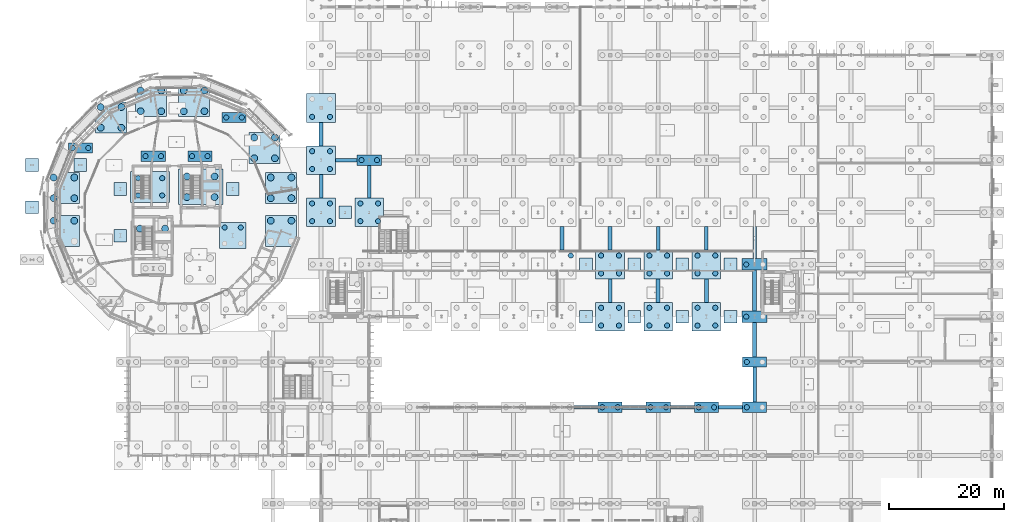
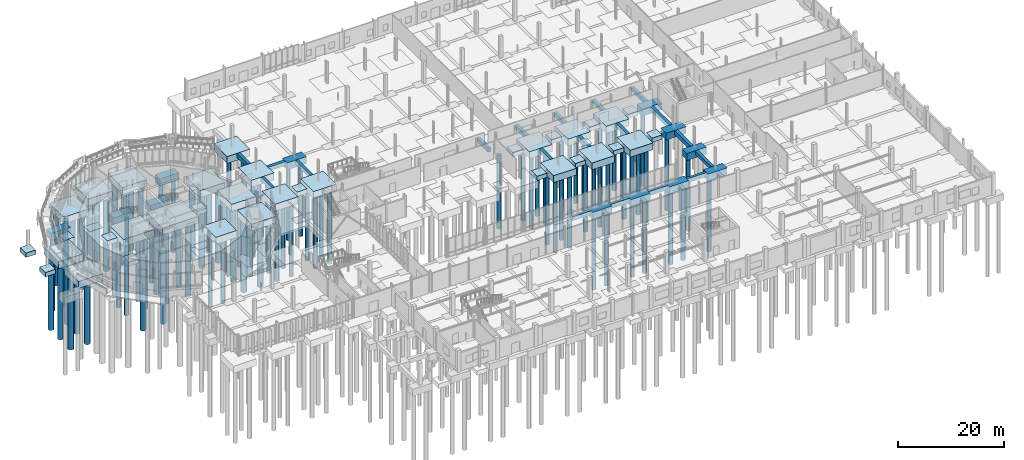
# One storey, part 4 of 119: 99 piles, 67 footings.
"""IFC4 building model written with IfcOpenShell, lengths in metres."""

from ifc_helpers import new_model, si_unit, derived_unit, direction, frame, origin, origin_2d, place, context, subcontext, project, spatial, rectangle, circle, extrude, material, layer, layer_set, material_profile, profile_set, type_object, element, save


model = new_model("IFC4")

# Units and contexts
model_context = context("Model", 3, precision=1e-05, world=origin(), true_north=direction((0.0, 1.0)))
body_context = subcontext(model_context, "Body", "Model", "MODEL_VIEW")
ifc_project = project(units=[si_unit("LENGTHUNIT", "METRE"), si_unit("AREAUNIT", "SQUARE_METRE"), si_unit("VOLUMEUNIT", "CUBIC_METRE"), si_unit("PLANEANGLEUNIT", "RADIAN"), si_unit("MASSUNIT", "GRAM", prefix="KILO"), derived_unit("THERMALTRANSMITTANCEUNIT", [(si_unit("MASSUNIT", "GRAM", prefix="KILO"), 1), (si_unit("TIMEUNIT", "SECOND"), -3), (si_unit("THERMODYNAMICTEMPERATUREUNIT", "KELVIN"), -1)])], contexts=[model_context])

# Site, building, storey
site_placement = place(None, origin())
site = spatial("IfcSite", under=ifc_project, at=site_placement, CompositionType="ELEMENT")
building_placement = place(site_placement, origin())
building = spatial("IfcBuilding", under=site, at=building_placement, Name="Makaiwela Harbour Ferry Terminal", CompositionType="ELEMENT")
storey_placement = place(building_placement, origin())
storey = spatial("IfcBuildingStorey", under=building, at=storey_placement, Name="L00", CompositionType="ELEMENT", Elevation=0.0)

# Footings
ifc_material = material(Name="Concrete f'c 45 MPa (6500 psi)", Category="concrete")
ifc_layer_1 = layer(ifc_material, 1.0)
ifc_layer_set_1 = layer_set([ifc_layer_1], Name="Concrete f'c 45 MPa (6500 psi)")
footing_type_1 = type_object("IfcFootingType", Name="FND-PAD-01", PredefinedType="PAD_FOOTING", material=ifc_layer_set_1)
for number, where, z_axis, x_axis, name in (
    (1, (47.593017578125, 71.656494140625, -1.0), (0.0, 0.0, 1.0), (1.0, 0.0, 0.0), "Foundation Footing PF-01"),
    (2, (28.0068359375, 71.656494140625, -1.0), (0.0, 0.0, 1.0), (1.0, 0.0, 0.0), "Foundation Footing PF-01"),
    (3, (28.0068359375, 63.543701171875, -1.0), (0.0, 0.0, 1.0), (1.0, 0.0, 0.0), "Foundation Footing PF-01"),
    (4, (12.60009765625, 68.449951171875, -1.0), (0.0, 0.0, 1.0), (1.0, 0.0, 0.0), "Foundation Footing PF-01"),
    (5, (21.0, 75.85009765625, -1.0), (0.0, 0.0, 1.0), (1.0, 0.0, 0.0), "Foundation Footing PF-01"),
    (6, (12.60009765625, 75.85009765625, -1.0), (0.0, 0.0, 1.0), (1.0, 0.0, 0.0), "Foundation Footing PF-01"),
    (7, (67.199951171875, 67.60009765625, -1.0), (0.0, 0.0, 1.0), (1.0, 0.0, 0.0), "Foundation Footing PF-01"),
    (8, (109.199951171875, 49.39990234375, -1.0), (0.0, 0.0, 1.0), (1.0, 0.0, 0.0), "Foundation Footing PF-01"),
    (9, (109.199951171875, 58.5, -1.0), (0.0, 0.0, 1.0), (1.0, 0.0, 0.0), "Foundation Footing PF-01"),
    (10, (117.60009765625, 49.39990234375, -1.0), (0.0, 0.0, 1.0), (1.0, 0.0, 0.0), "Foundation Footing PF-01"),
    (11, (117.60009765625, 58.5, -1.0), (0.0, 0.0, 1.0), (1.0, 0.0, 0.0), "Foundation Footing PF-01"),
    (12, (126.0, 49.39990234375, -1.0), (0.0, 0.0, 1.0), (1.0, 0.0, 0.0), "Foundation Footing PF-01"),
    (13, (126.0, 58.5, -1.0), (0.0, 0.0, 1.0), (1.0, 0.0, 0.0), "Foundation Footing PF-01"),
    (14, (134.39990234375, 49.39990234375, -1.0), (0.0, 0.0, 1.0), (1.0, 0.0, 0.0), "Foundation Footing PF-01"),
    (15, (134.39990234375, 58.5, -1.0), (0.0, 0.0, 1.0), (1.0, 0.0, 0.0), "Foundation Footing PF-01"),
):
    element("IfcFooting", number, at=place(storey_placement, frame(where, z_axis=z_axis, x_axis=x_axis)), inside=storey, type_object=footing_type_1, Name=name, PredefinedType="PAD_FOOTING", context=body_context, shape_type="SweptSolid", body=[
        extrude(rectangle(XDim=2.199951171875, YDim=2.199951171875, at=origin_2d()), origin(), (0.0, 0.0, 1.0), 1.0),
    ])
ifc_layer_2 = layer(ifc_material, 1.60009765625)
ifc_layer_set_2 = layer_set([ifc_layer_2], Name="Concrete f'c 45 MPa (6500 psi)")
footing_type_2 = type_object("IfcFootingType", Name="FND-PC-01", PredefinedType="PILE_CAP", material=ifc_layer_set_2)
for number, where, z_axis, x_axis, name in (
    (16, (41.8564453125, 77.39306640625, -1.60009765625), (0.0, 0.0, 1.0), (1.0, 0.0, 0.0), "Foundation Footing PC-01"),
    (17, (33.74365234375, 77.39306640625, -1.60009765625), (0.0, 0.0, 1.0), (1.0, 0.0, 0.0), "Foundation Footing PC-01"),
    (18, (47.822509765625, 84.1474609375, -1.60009765625), (0.0, 0.0, 1.0), (1.0, 0.0, 0.0), "Foundation Footing PC-01"),
    (19, (21.052490234375, 78.822509765625, -1.60009765625), (0.0, 0.0, 1.0), (1.0, 0.0, 0.0), "Foundation Footing PC-01"),
    (20, (71.39990234375, 76.699951171875, -1.60009765625), (0.0, 0.0, 1.0), (1.0, 0.0, 0.0), "Foundation Footing PC-01"),
    (21, (113.39990234375, 33.60009765625, -1.60009765625), (0.0, 0.0, 1.0), (1.0, 0.0, 0.0), "Foundation Footing PC-01"),
    (22, (121.800048828125, 33.60009765625, -1.60009765625), (0.0, 0.0, 1.0), (1.0, 0.0, 0.0), "Foundation Footing PC-01"),
    (23, (130.199951171875, 33.60009765625, -1.60009765625), (0.0, 0.0, 1.0), (1.0, 0.0, 0.0), "Foundation Footing PC-01"),
    (24, (138.60009765625, 33.60009765625, -1.60009765625), (0.0, 0.0, 1.0), (1.0, 0.0, 0.0), "Foundation Footing PC-01"),
    (25, (138.60009765625, 41.5, -1.60009765625), (0.0, 0.0, 1.0), (1.0, 0.0, 0.0), "Foundation Footing PC-01"),
):
    element("IfcFooting", number, at=place(storey_placement, frame(where, z_axis=z_axis, x_axis=x_axis)), inside=storey, type_object=footing_type_2, Name=name, PredefinedType="PILE_CAP", context=body_context, shape_type="SweptSolid", body=[
        extrude(rectangle(XDim=4.199951171875, YDim=1.800048828125, at=origin_2d()), origin(), (0.0, 0.0, 1.0), 1.60009765625),
    ])
ifc_layer_3 = layer(ifc_material, 1.60009765625)
ifc_layer_set_3 = layer_set([ifc_layer_3], Name="Concrete f'c 45 MPa (6500 psi)")
footing_type_3 = type_object("IfcFootingType", Name="FND-PC-02", PredefinedType="PILE_CAP", material=ifc_layer_set_3)
for number, where, z_axis, x_axis, name in (
    (26, (138.60009765625, 49.39990234375, -1.60009765625), (0.0, 0.0, 1.0), (1.0, 0.0, 0.0), "Foundation Footing PC-02"),
    (27, (138.60009765625, 58.5, -1.60009765625), (0.0, 0.0, 1.0), (1.0, 0.0, 0.0), "Foundation Footing PC-02"),
):
    element("IfcFooting", number, at=place(storey_placement, frame(where, z_axis=z_axis, x_axis=x_axis)), inside=storey, type_object=footing_type_3, Name=name, PredefinedType="PILE_CAP", context=body_context, shape_type="SweptSolid", body=[
        extrude(rectangle(XDim=4.39990234375, YDim=2.0, at=origin_2d()), origin(), (0.0, 0.0, 1.0), 1.60009765625),
    ])
ifc_layer_4 = layer(ifc_material, 1.60009765625)
ifc_layer_set_4 = layer_set([ifc_layer_4], Name="Concrete f'c 45 MPa (6500 psi)")
footing_type_4 = type_object("IfcFootingType", Name="FND-PC-03", PredefinedType="PILE_CAP", material=ifc_layer_set_4)
footing_1_placement = place(storey_placement, frame((47.593017578125, 63.543701171875, -1.60009765625), z_axis=(0.0, 0.0, 1.0), x_axis=(1.0, 0.0, 0.0)))
element("IfcFooting", 28, at=footing_1_placement, inside=storey, type_object=footing_type_4, Name="Foundation Footing PC-03", PredefinedType="PILE_CAP", context=body_context, shape_type="SweptSolid", body=[
    extrude(rectangle(XDim=4.60009765625, YDim=4.60009765625, at=origin_2d()), origin(), (0.0, 0.0, 1.0), 1.60009765625),
])
ifc_layer_5 = layer(ifc_material, 1.60009765625)
ifc_layer_set_5 = layer_set([ifc_layer_5], Name="Concrete f'c 45 MPa (6500 psi)")
footing_type_5 = type_object("IfcFootingType", Name="FND-PC-04", PredefinedType="PILE_CAP", material=ifc_layer_set_5)
for number, where, z_axis, x_axis, name in (
    (29, (63.0, 67.60009765625, -1.60009765625), (0.0, 0.0, 1.0), (1.0, 0.0, 0.0), "Foundation Footing PC-04"),
    (30, (63.0, 76.699951171875, -1.60009765625), (0.0, 0.0, 1.0), (1.0, 0.0, 0.0), "Foundation Footing PC-04"),
    (31, (63.0, 85.800048828125, -1.60009765625), (0.0, 0.0, 1.0), (1.0, 0.0, 0.0), "Foundation Footing PC-04"),
    (32, (71.39990234375, 67.60009765625, -1.60009765625), (0.0, 0.0, 1.0), (1.0, 0.0, 0.0), "Foundation Footing PC-04"),
    (33, (113.39990234375, 49.39990234375, -1.60009765625), (0.0, 0.0, 1.0), (1.0, 0.0, 0.0), "Foundation Footing PC-04"),
    (34, (113.39990234375, 58.5, -1.60009765625), (0.0, 0.0, 1.0), (1.0, 0.0, 0.0), "Foundation Footing PC-04"),
    (35, (121.800048828125, 49.39990234375, -1.60009765625), (0.0, 0.0, 1.0), (1.0, 0.0, 0.0), "Foundation Footing PC-04"),
    (36, (121.800048828125, 58.5, -1.60009765625), (0.0, 0.0, 1.0), (1.0, 0.0, 0.0), "Foundation Footing PC-04"),
    (37, (130.199951171875, 49.39990234375, -1.60009765625), (0.0, 0.0, 1.0), (1.0, 0.0, 0.0), "Foundation Footing PC-04"),
    (38, (130.199951171875, 58.5, -1.60009765625), (0.0, 0.0, 1.0), (1.0, 0.0, 0.0), "Foundation Footing PC-04"),
):
    element("IfcFooting", number, at=place(storey_placement, frame(where, z_axis=z_axis, x_axis=x_axis)), inside=storey, type_object=footing_type_5, Name=name, PredefinedType="PILE_CAP", context=body_context, shape_type="SweptSolid", body=[
        extrude(rectangle(XDim=5.0, YDim=5.0, at=origin_2d()), origin(), (0.0, 0.0, 1.0), 1.60009765625),
    ])
ifc_layer_6 = layer(ifc_material, 1.60009765625)
ifc_layer_set_6 = layer_set([ifc_layer_6], Name="Concrete f'c 45 MPa (6500 psi)")
footing_type_6 = type_object("IfcFootingType", Name="FND-PC-05", PredefinedType="PILE_CAP", material=ifc_layer_set_6)
for number, where, z_axis, x_axis, name in (
    (39, (56.029296875, 71.865234375, -1.60009765625), (0.0, 0.0, 1.0), (1.0, 0.0, 0.0), "Foundation Footing PC-05"),
    (40, (53.1474609375, 78.822509765625, -1.60009765625), (0.0, 0.0, 1.0), (1.0, 0.0, 0.0), "Foundation Footing PC-05"),
    (41, (40.865234375, 87.029296875, -1.60009765625), (0.0, 0.0, 1.0), (1.0, 0.0, 0.0), "Foundation Footing PC-05"),
    (42, (33.334716796875, 87.029296875, -1.60009765625), (0.0, 0.0, 1.0), (1.0, 0.0, 0.0), "Foundation Footing PC-05"),
    (43, (26.37744140625, 84.1474609375, -1.60009765625), (0.0, 0.0, 1.0), (1.0, 0.0, 0.0), "Foundation Footing PC-05"),
    (44, (18.1708984375, 71.865234375, -1.60009765625), (0.0, 0.0, 1.0), (1.0, 0.0, 0.0), "Foundation Footing PC-05"),
    (45, (18.1708984375, 64.334716796875, -1.60009765625), (0.0, 0.0, 1.0), (1.0, 0.0, 0.0), "Foundation Footing PC-05"),
    (46, (56.029296875, 64.334716796875, -1.60009765625), (0.0, 0.0, 1.0), (1.0, 0.0, 0.0), "Foundation Footing PC-05"),
):
    element("IfcFooting", number, at=place(storey_placement, frame(where, z_axis=z_axis, x_axis=x_axis)), inside=storey, type_object=footing_type_6, Name=name, PredefinedType="PILE_CAP", context=body_context, shape_type="SweptSolid", body=[
        extrude(rectangle(XDim=5.39990234375, YDim=5.39990234375, at=origin_2d()), origin(), (0.0, 0.0, 1.0), 1.60009765625),
    ])
ifc_layer_7 = layer(ifc_material, 1.60009765625)
ifc_layer_set_7 = layer_set([ifc_layer_7], Name="Concrete f'c 45 MPa (6500 psi)")
footing_type_7 = type_object("IfcFootingType", Name="FND-PC-09", PredefinedType="PILE_CAP", material=ifc_layer_set_7)
footing_2_placement = place(storey_placement, frame((33.199951171875, 72.050048828125, -1.60009765625), z_axis=(0.0, 0.0, 1.0), x_axis=(1.0, 0.0, 0.0)))
element("IfcFooting", 47, at=footing_2_placement, inside=storey, type_object=footing_type_7, Name="Foundation Footing PC-09", PredefinedType="PILE_CAP", context=body_context, shape_type="SweptSolid", body=[
    extrude(rectangle(XDim=6.800048828125, YDim=5.39990234375, at=origin_2d()), origin(), (0.0, 0.0, 1.0), 1.60009765625),
])
ifc_layer_8 = layer(ifc_material, 1.60009765625)
ifc_layer_set_8 = layer_set([ifc_layer_8], Name="Concrete f'c 45 MPa (6500 psi)")
footing_type_8 = type_object("IfcFootingType", Name="FND-PC-10", PredefinedType="PILE_CAP", material=ifc_layer_set_8)
footing_3_placement = place(storey_placement, frame((42.0, 72.050048828125, -1.60009765625), z_axis=(0.0, 0.0, 1.0), x_axis=(1.0, 0.0, 0.0)))
element("IfcFooting", 48, at=footing_3_placement, inside=storey, type_object=footing_type_8, Name="Foundation Footing PC-10", PredefinedType="PILE_CAP", context=body_context, shape_type="SweptSolid", body=[
    extrude(rectangle(XDim=7.800048828125, YDim=6.199951171875, at=origin_2d()), origin(), (0.0, 0.0, 1.0), 1.60009765625),
])

# Piles
ifc_material_profile_1 = material_profile(ifc_material, circle(Radius=0.60009765625, at=origin_2d()), Name="PILE-D1200")
ifc_profile_set_1 = profile_set([ifc_material_profile_1], Name="Concrete f'c 45 MPa (6500 psi)")
pile_type_1 = type_object("IfcPileType", Name="FND-PIL-D1200", PredefinedType="BORED", material=ifc_profile_set_1)
for number, where, z_axis, x_axis, name in (
    (49, (39.60009765625, 70.25, -1.449951171875), (0.0, 0.0, -1.0), (1.0, 0.0, 0.0), "Marine Pile MP-02"),
    (50, (44.39990234375, 70.25, -1.449951171875), (0.0, 0.0, -1.0), (1.0, 0.0, 0.0), "Marine Pile MP-02"),
    (51, (39.60009765625, 73.85009765625, -1.449951171875), (0.0, 0.0, -1.0), (1.0, 0.0, 0.0), "Marine Pile MP-02"),
    (52, (44.39990234375, 73.85009765625, -1.449951171875), (0.0, 0.0, -1.0), (1.0, 0.0, 0.0), "Marine Pile MP-02"),
    (53, (31.39990234375, 64.75, -1.449951171875), (0.0, 0.0, -1.0), (1.0, 0.0, 0.0), "Marine Pile MP-02"),
    (54, (35.800048828125, 64.75, -1.449951171875), (0.0, 0.0, -1.0), (1.0, 0.0, 0.0), "Marine Pile MP-02"),
    (55, (54.229248046875, 70.065185546875, -1.449951171875), (0.0, 0.0, -1.0), (1.0, 0.0, 0.0), "Marine Pile MP-02"),
    (56, (57.8291015625, 70.065185546875, -1.449951171875), (0.0, 0.0, -1.0), (1.0, 0.0, 0.0), "Marine Pile MP-02"),
    (57, (54.229248046875, 73.665283203125, -1.449951171875), (0.0, 0.0, -1.0), (1.0, 0.0, 0.0), "Marine Pile MP-02"),
    (58, (57.8291015625, 73.665283203125, -1.449951171875), (0.0, 0.0, -1.0), (1.0, 0.0, 0.0), "Marine Pile MP-02"),
    (59, (51.347412109375, 77.0224609375, -1.449951171875), (0.0, 0.0, -1.0), (1.0, 0.0, 0.0), "Marine Pile MP-02"),
    (60, (54.947509765625, 77.0224609375, -1.449951171875), (0.0, 0.0, -1.0), (1.0, 0.0, 0.0), "Marine Pile MP-02"),
    (61, (51.347412109375, 80.62255859375, -1.449951171875), (0.0, 0.0, -1.0), (1.0, 0.0, 0.0), "Marine Pile MP-02"),
    (62, (54.947509765625, 80.62255859375, -1.449951171875), (0.0, 0.0, -1.0), (1.0, 0.0, 0.0), "Marine Pile MP-02"),
    (63, (39.065185546875, 85.229248046875, -1.449951171875), (0.0, 0.0, -1.0), (1.0, 0.0, 0.0), "Marine Pile MP-02"),
    (64, (42.665283203125, 85.229248046875, -1.449951171875), (0.0, 0.0, -1.0), (1.0, 0.0, 0.0), "Marine Pile MP-02"),
    (65, (39.065185546875, 88.8291015625, -1.449951171875), (0.0, 0.0, -1.0), (1.0, 0.0, 0.0), "Marine Pile MP-02"),
    (66, (42.665283203125, 88.8291015625, -1.449951171875), (0.0, 0.0, -1.0), (1.0, 0.0, 0.0), "Marine Pile MP-02"),
    (67, (31.534912109375, 85.229248046875, -1.449951171875), (0.0, 0.0, -1.0), (1.0, 0.0, 0.0), "Marine Pile MP-02"),
    (68, (35.134765625, 85.229248046875, -1.449951171875), (0.0, 0.0, -1.0), (1.0, 0.0, 0.0), "Marine Pile MP-02"),
    (69, (31.534912109375, 88.8291015625, -1.449951171875), (0.0, 0.0, -1.0), (1.0, 0.0, 0.0), "Marine Pile MP-02"),
    (70, (35.134765625, 88.8291015625, -1.449951171875), (0.0, 0.0, -1.0), (1.0, 0.0, 0.0), "Marine Pile MP-02"),
    (71, (24.577392578125, 82.347412109375, -1.449951171875), (0.0, 0.0, -1.0), (1.0, 0.0, 0.0), "Marine Pile MP-02"),
    (72, (28.177490234375, 82.347412109375, -1.449951171875), (0.0, 0.0, -1.0), (1.0, 0.0, 0.0), "Marine Pile MP-02"),
    (73, (24.577392578125, 85.947509765625, -1.449951171875), (0.0, 0.0, -1.0), (1.0, 0.0, 0.0), "Marine Pile MP-02"),
    (74, (28.177490234375, 85.947509765625, -1.449951171875), (0.0, 0.0, -1.0), (1.0, 0.0, 0.0), "Marine Pile MP-02"),
    (75, (16.370849609375, 70.065185546875, -1.449951171875), (0.0, 0.0, -1.0), (1.0, 0.0, 0.0), "Marine Pile MP-02"),
    (76, (19.970703125, 70.065185546875, -1.449951171875), (0.0, 0.0, -1.0), (1.0, 0.0, 0.0), "Marine Pile MP-02"),
    (77, (16.370849609375, 73.665283203125, -1.449951171875), (0.0, 0.0, -1.0), (1.0, 0.0, 0.0), "Marine Pile MP-02"),
    (78, (19.970703125, 73.665283203125, -1.449951171875), (0.0, 0.0, -1.0), (1.0, 0.0, 0.0), "Marine Pile MP-02"),
    (79, (16.370849609375, 66.134765625, -1.449951171875), (0.0, 0.0, -1.0), (1.0, 0.0, 0.0), "Marine Pile MP-02"),
    (80, (19.970703125, 66.134765625, -1.449951171875), (0.0, 0.0, -1.0), (1.0, 0.0, 0.0), "Marine Pile MP-02"),
    (81, (54.229248046875, 66.134765625, -1.449951171875), (0.0, 0.0, -1.0), (1.0, 0.0, 0.0), "Marine Pile MP-02"),
    (82, (57.8291015625, 66.134765625, -1.449951171875), (0.0, 0.0, -1.0), (1.0, 0.0, 0.0), "Marine Pile MP-02"),
):
    element("IfcPile", number, at=place(storey_placement, frame(where, z_axis=z_axis, x_axis=x_axis)), inside=storey, type_object=pile_type_1, Name=name, PredefinedType="BORED", context=body_context, shape_type="SweptSolid", body=[
        extrude(circle(Radius=0.60009765625, at=origin_2d()), origin(), (0.0, 0.0, 1.0), 17.050048828125),
    ])
ifc_material_profile_2 = material_profile(ifc_material, circle(Radius=0.449951171875, at=origin_2d()), Name="PILE-D900")
ifc_profile_set_2 = profile_set([ifc_material_profile_2], Name="Concrete f'c 45 MPa (6500 psi)")
pile_type_2 = type_object("IfcPileType", Name="FND-PIL-D900", PredefinedType="BORED", material=ifc_profile_set_2)
for number, where, z_axis, x_axis, name in (
    (83, (31.10009765625, 70.550048828125, -1.449951171875), (0.0, 0.0, -1.0), (1.0, 0.0, 0.0), "Marine Pile MP-01"),
    (84, (35.300048828125, 70.550048828125, -1.449951171875), (0.0, 0.0, -1.0), (1.0, 0.0, 0.0), "Marine Pile MP-01"),
    (85, (31.10009765625, 73.550048828125, -1.449951171875), (0.0, 0.0, -1.0), (1.0, 0.0, 0.0), "Marine Pile MP-01"),
    (86, (35.300048828125, 73.550048828125, -1.449951171875), (0.0, 0.0, -1.0), (1.0, 0.0, 0.0), "Marine Pile MP-01"),
    (87, (40.50634765625, 77.39306640625, -1.449951171875), (0.0, 0.0, -1.0), (1.0, 0.0, 0.0), "Marine Pile MP-01"),
    (88, (43.206298828125, 77.39306640625, -1.449951171875), (0.0, 0.0, -1.0), (1.0, 0.0, 0.0), "Marine Pile MP-01"),
    (89, (32.3935546875, 77.39306640625, -1.449951171875), (0.0, 0.0, -1.0), (1.0, 0.0, 0.0), "Marine Pile MP-01"),
    (90, (35.093505859375, 77.39306640625, -1.449951171875), (0.0, 0.0, -1.0), (1.0, 0.0, 0.0), "Marine Pile MP-01"),
    (91, (46.193115234375, 64.943603515625, -1.449951171875), (0.0, 0.0, -1.0), (1.0, 0.0, 0.0), "Marine Pile MP-01"),
    (92, (48.9931640625, 64.943603515625, -1.449951171875), (0.0, 0.0, -1.0), (1.0, 0.0, 0.0), "Marine Pile MP-01"),
    (93, (46.472412109375, 84.1474609375, -1.449951171875), (0.0, 0.0, -1.0), (1.0, 0.0, 0.0), "Marine Pile MP-01"),
    (94, (49.172607421875, 84.1474609375, -1.449951171875), (0.0, 0.0, -1.0), (1.0, 0.0, 0.0), "Marine Pile MP-01"),
    (95, (19.70263671875, 78.822509765625, -1.449951171875), (0.0, 0.0, -1.0), (1.0, 0.0, 0.0), "Marine Pile MP-01"),
    (96, (22.402587890625, 78.822509765625, -1.449951171875), (0.0, 0.0, -1.0), (1.0, 0.0, 0.0), "Marine Pile MP-01"),
    (97, (61.449951171875, 66.050048828125, -1.449951171875), (0.0, 0.0, -1.0), (1.0, 0.0, 0.0), "Marine Pile MP-01"),
    (98, (64.550048828125, 66.050048828125, -1.449951171875), (0.0, 0.0, -1.0), (1.0, 0.0, 0.0), "Marine Pile MP-01"),
    (99, (61.449951171875, 69.14990234375, -1.449951171875), (0.0, 0.0, -1.0), (1.0, 0.0, 0.0), "Marine Pile MP-01"),
    (100, (64.550048828125, 69.14990234375, -1.449951171875), (0.0, 0.0, -1.0), (1.0, 0.0, 0.0), "Marine Pile MP-01"),
    (101, (61.449951171875, 75.14990234375, -1.449951171875), (0.0, 0.0, -1.0), (1.0, 0.0, 0.0), "Marine Pile MP-01"),
    (102, (64.550048828125, 75.14990234375, -1.449951171875), (0.0, 0.0, -1.0), (1.0, 0.0, 0.0), "Marine Pile MP-01"),
    (103, (61.449951171875, 78.25, -1.449951171875), (0.0, 0.0, -1.0), (1.0, 0.0, 0.0), "Marine Pile MP-01"),
    (104, (64.550048828125, 78.25, -1.449951171875), (0.0, 0.0, -1.0), (1.0, 0.0, 0.0), "Marine Pile MP-01"),
    (105, (61.449951171875, 84.25, -1.449951171875), (0.0, 0.0, -1.0), (1.0, 0.0, 0.0), "Marine Pile MP-01"),
    (106, (64.550048828125, 84.25, -1.449951171875), (0.0, 0.0, -1.0), (1.0, 0.0, 0.0), "Marine Pile MP-01"),
    (107, (69.85009765625, 66.050048828125, -1.449951171875), (0.0, 0.0, -1.0), (1.0, 0.0, 0.0), "Marine Pile MP-01"),
    (108, (72.949951171875, 66.050048828125, -1.449951171875), (0.0, 0.0, -1.0), (1.0, 0.0, 0.0), "Marine Pile MP-01"),
    (109, (69.85009765625, 69.14990234375, -1.449951171875), (0.0, 0.0, -1.0), (1.0, 0.0, 0.0), "Marine Pile MP-01"),
    (110, (72.949951171875, 69.14990234375, -1.449951171875), (0.0, 0.0, -1.0), (1.0, 0.0, 0.0), "Marine Pile MP-01"),
    (111, (70.050048828125, 76.699951171875, -1.449951171875), (0.0, 0.0, -1.0), (1.0, 0.0, 0.0), "Marine Pile MP-01"),
    (112, (72.75, 76.699951171875, -1.449951171875), (0.0, 0.0, -1.0), (1.0, 0.0, 0.0), "Marine Pile MP-01"),
    (113, (106.550048828125, 60.050048828125, -1.449951171875), (0.0, 0.0, -1.0), (1.0, 0.0, 0.0), "Marine Pile MP-01"),
    (114, (111.85009765625, 47.85009765625, -1.449951171875), (0.0, 0.0, -1.0), (1.0, 0.0, 0.0), "Marine Pile MP-01"),
    (115, (114.949951171875, 47.85009765625, -1.449951171875), (0.0, 0.0, -1.0), (1.0, 0.0, 0.0), "Marine Pile MP-01"),
    (116, (111.85009765625, 50.949951171875, -1.449951171875), (0.0, 0.0, -1.0), (1.0, 0.0, 0.0), "Marine Pile MP-01"),
    (117, (114.949951171875, 50.949951171875, -1.449951171875), (0.0, 0.0, -1.0), (1.0, 0.0, 0.0), "Marine Pile MP-01"),
    (118, (111.85009765625, 56.949951171875, -1.449951171875), (0.0, 0.0, -1.0), (1.0, 0.0, 0.0), "Marine Pile MP-01"),
    (119, (114.949951171875, 56.949951171875, -1.449951171875), (0.0, 0.0, -1.0), (1.0, 0.0, 0.0), "Marine Pile MP-01"),
    (120, (111.85009765625, 60.050048828125, -1.449951171875), (0.0, 0.0, -1.0), (1.0, 0.0, 0.0), "Marine Pile MP-01"),
    (121, (114.949951171875, 60.050048828125, -1.449951171875), (0.0, 0.0, -1.0), (1.0, 0.0, 0.0), "Marine Pile MP-01"),
    (122, (120.25, 47.85009765625, -1.449951171875), (0.0, 0.0, -1.0), (1.0, 0.0, 0.0), "Marine Pile MP-01"),
    (123, (123.35009765625, 47.85009765625, -1.449951171875), (0.0, 0.0, -1.0), (1.0, 0.0, 0.0), "Marine Pile MP-01"),
    (124, (120.25, 50.949951171875, -1.449951171875), (0.0, 0.0, -1.0), (1.0, 0.0, 0.0), "Marine Pile MP-01"),
    (125, (123.35009765625, 50.949951171875, -1.449951171875), (0.0, 0.0, -1.0), (1.0, 0.0, 0.0), "Marine Pile MP-01"),
    (126, (120.25, 56.949951171875, -1.449951171875), (0.0, 0.0, -1.0), (1.0, 0.0, 0.0), "Marine Pile MP-01"),
    (127, (123.35009765625, 56.949951171875, -1.449951171875), (0.0, 0.0, -1.0), (1.0, 0.0, 0.0), "Marine Pile MP-01"),
    (128, (120.25, 60.050048828125, -1.449951171875), (0.0, 0.0, -1.0), (1.0, 0.0, 0.0), "Marine Pile MP-01"),
    (129, (123.35009765625, 60.050048828125, -1.449951171875), (0.0, 0.0, -1.0), (1.0, 0.0, 0.0), "Marine Pile MP-01"),
    (130, (128.64990234375, 47.85009765625, -1.449951171875), (0.0, 0.0, -1.0), (1.0, 0.0, 0.0), "Marine Pile MP-01"),
    (131, (131.75, 47.85009765625, -1.449951171875), (0.0, 0.0, -1.0), (1.0, 0.0, 0.0), "Marine Pile MP-01"),
    (132, (128.64990234375, 50.949951171875, -1.449951171875), (0.0, 0.0, -1.0), (1.0, 0.0, 0.0), "Marine Pile MP-01"),
    (133, (131.75, 50.949951171875, -1.449951171875), (0.0, 0.0, -1.0), (1.0, 0.0, 0.0), "Marine Pile MP-01"),
    (134, (128.64990234375, 56.949951171875, -1.449951171875), (0.0, 0.0, -1.0), (1.0, 0.0, 0.0), "Marine Pile MP-01"),
    (135, (131.75, 56.949951171875, -1.449951171875), (0.0, 0.0, -1.0), (1.0, 0.0, 0.0), "Marine Pile MP-01"),
    (136, (128.64990234375, 60.050048828125, -1.449951171875), (0.0, 0.0, -1.0), (1.0, 0.0, 0.0), "Marine Pile MP-01"),
    (137, (131.75, 60.050048828125, -1.449951171875), (0.0, 0.0, -1.0), (1.0, 0.0, 0.0), "Marine Pile MP-01"),
    (138, (137.14990234375, 49.39990234375, -1.449951171875), (0.0, 0.0, -1.0), (1.0, 0.0, 0.0), "Marine Pile MP-01"),
    (139, (137.14990234375, 58.5, -1.449951171875), (0.0, 0.0, -1.0), (1.0, 0.0, 0.0), "Marine Pile MP-01"),
    (140, (112.050048828125, 33.60009765625, -1.449951171875), (0.0, 0.0, -1.0), (1.0, 0.0, 0.0), "Marine Pile MP-01"),
    (141, (114.75, 33.60009765625, -1.449951171875), (0.0, 0.0, -1.0), (1.0, 0.0, 0.0), "Marine Pile MP-01"),
    (142, (120.449951171875, 33.60009765625, -1.449951171875), (0.0, 0.0, -1.0), (1.0, 0.0, 0.0), "Marine Pile MP-01"),
    (143, (123.14990234375, 33.60009765625, -1.449951171875), (0.0, 0.0, -1.0), (1.0, 0.0, 0.0), "Marine Pile MP-01"),
    (144, (128.85009765625, 33.60009765625, -1.449951171875), (0.0, 0.0, -1.0), (1.0, 0.0, 0.0), "Marine Pile MP-01"),
    (145, (131.550048828125, 33.60009765625, -1.449951171875), (0.0, 0.0, -1.0), (1.0, 0.0, 0.0), "Marine Pile MP-01"),
    (146, (137.25, 33.60009765625, -1.449951171875), (0.0, 0.0, -1.0), (1.0, 0.0, 0.0), "Marine Pile MP-01"),
    (147, (137.25, 41.5, -1.449951171875), (0.0, 0.0, -1.0), (1.0, 0.0, 0.0), "Marine Pile MP-01"),
):
    element("IfcPile", number, at=place(storey_placement, frame(where, z_axis=z_axis, x_axis=x_axis)), inside=storey, type_object=pile_type_2, Name=name, PredefinedType="BORED", context=body_context, shape_type="SweptSolid", body=[
        extrude(circle(Radius=0.449951171875, at=origin_2d()), origin(), (0.0, 0.0, 1.0), 17.050048828125),
    ])

# Footings
ifc_layer_9 = layer(ifc_material, 0.89990234375)
ifc_layer_set_9 = layer_set([ifc_layer_9], Name="Concrete f'c 45 MPa (6500 psi)")
footing_type_9 = type_object("IfcFootingType", Name="FND-TB-01", PredefinedType="FOOTING_BEAM", material=ifc_layer_set_9)
for number, where, z_axis, x_axis, name in (
    (148, (109.199951171875, 33.60009765625, -0.89990234375), (0.0, 0.0, 1.0), (1.0, 0.0, 0.0), "Foundation Footing TB-01"),
    (149, (134.39990234375, 33.60009765625, -0.89990234375), (0.0, 0.0, 1.0), (1.0, 0.0, 0.0), "Foundation Footing TB-01"),
):
    element("IfcFooting", number, at=place(storey_placement, frame(where, z_axis=z_axis, x_axis=x_axis)), inside=storey, type_object=footing_type_9, Name=name, PredefinedType="FOOTING_BEAM", context=body_context, shape_type="SweptSolid", body=[
        extrude(rectangle(XDim=4.199951171875, YDim=0.60009765625, at=origin_2d()), origin(), (0.0, 0.0, 1.0), 0.89990234375),
    ])
footing_4_placement = place(storey_placement, frame((63.0, 72.14990234375, -0.89990234375), z_axis=(0.0, 0.0, 1.0), x_axis=(0.0, 1.0, 0.0)))
element("IfcFooting", 150, at=footing_4_placement, inside=storey, type_object=footing_type_9, Name="Foundation Footing TB-01", PredefinedType="FOOTING_BEAM", context=body_context, shape_type="SweptSolid", body=[
    extrude(rectangle(XDim=4.10009765625, YDim=0.60009765625, at=origin_2d()), origin(), (0.0, 0.0, 1.0), 0.89990234375),
])
footing_5_placement = place(storey_placement, frame((71.39990234375, 72.949951171875, -0.89990234375), z_axis=(0.0, 0.0, 1.0), x_axis=(0.0, 1.0, 0.0)))
element("IfcFooting", 151, at=footing_5_placement, inside=storey, type_object=footing_type_9, Name="Foundation Footing TB-01", PredefinedType="FOOTING_BEAM", context=body_context, shape_type="SweptSolid", body=[
    extrude(rectangle(XDim=5.699951171875, YDim=0.60009765625, at=origin_2d()), origin(), (0.0, 0.0, 1.0), 0.89990234375),
])
for number, where, z_axis, x_axis, name in (
    (152, (113.39990234375, 53.949951171875, -0.89990234375), (0.0, 0.0, 1.0), (0.0, 1.0, 0.0), "Foundation Footing TB-01"),
    (153, (130.199951171875, 63.050048828125, -0.89990234375), (0.0, 0.0, 1.0), (0.0, 1.0, 0.0), "Foundation Footing TB-01"),
):
    element("IfcFooting", number, at=place(storey_placement, frame(where, z_axis=z_axis, x_axis=x_axis)), inside=storey, type_object=footing_type_9, Name=name, PredefinedType="FOOTING_BEAM", context=body_context, shape_type="SweptSolid", body=[
        extrude(rectangle(XDim=4.10009765625, YDim=0.60009765625, at=origin_2d()), origin(), (0.0, 0.0, 1.0), 0.89990234375),
    ])
footing_6_placement = place(storey_placement, frame((138.60009765625, 37.550048828125, -0.89990234375), z_axis=(0.0, 0.0, 1.0), x_axis=(0.0, 1.0, 0.0)))
element("IfcFooting", 154, at=footing_6_placement, inside=storey, type_object=footing_type_9, Name="Foundation Footing TB-01", PredefinedType="FOOTING_BEAM", context=body_context, shape_type="SweptSolid", body=[
    extrude(rectangle(XDim=6.10009765625, YDim=0.60009765625, at=origin_2d()), origin(), (0.0, 0.0, 1.0), 0.89990234375),
])
footing_7_placement = place(storey_placement, frame((138.60009765625, 62.300048828125, -0.89990234375), z_axis=(0.0, 0.0, 1.0), x_axis=(0.0, 1.0, 0.0)))
element("IfcFooting", 155, at=footing_7_placement, inside=storey, type_object=footing_type_9, Name="Foundation Footing TB-01", PredefinedType="FOOTING_BEAM", context=body_context, shape_type="SweptSolid", body=[
    extrude(rectangle(XDim=5.60009765625, YDim=0.60009765625, at=origin_2d()), origin(), (0.0, 0.0, 1.0), 0.89990234375),
])
ifc_layer_10 = layer(ifc_material, 1.0)
ifc_layer_set_10 = layer_set([ifc_layer_10], Name="Concrete f'c 45 MPa (6500 psi)")
footing_type_10 = type_object("IfcFootingType", Name="FND-TB-02", PredefinedType="FOOTING_BEAM", material=ifc_layer_set_10)
footing_8_placement = place(storey_placement, frame((117.60009765625, 33.60009765625, -1.0), z_axis=(0.0, 0.0, 1.0), x_axis=(1.0, 0.0, 0.0)))
element("IfcFooting", 156, at=footing_8_placement, inside=storey, type_object=footing_type_10, Name="Foundation Footing TB-02", PredefinedType="FOOTING_BEAM", context=body_context, shape_type="SweptSolid", body=[
    extrude(rectangle(XDim=4.199951171875, YDim=0.699951171875, at=origin_2d()), origin(), (0.0, 0.0, 1.0), 1.0),
])
for number, where, z_axis, x_axis, name in (
    (157, (63.0, 81.25, -1.0), (0.0, 0.0, 1.0), (0.0, 1.0, 0.0), "Foundation Footing TB-02"),
    (158, (113.39990234375, 63.050048828125, -1.0), (0.0, 0.0, 1.0), (0.0, 1.0, 0.0), "Foundation Footing TB-02"),
    (159, (121.800048828125, 53.949951171875, -1.0), (0.0, 0.0, 1.0), (0.0, 1.0, 0.0), "Foundation Footing TB-02"),
):
    element("IfcFooting", number, at=place(storey_placement, frame(where, z_axis=z_axis, x_axis=x_axis)), inside=storey, type_object=footing_type_10, Name=name, PredefinedType="FOOTING_BEAM", context=body_context, shape_type="SweptSolid", body=[
        extrude(rectangle(XDim=4.10009765625, YDim=0.699951171875, at=origin_2d()), origin(), (0.0, 0.0, 1.0), 1.0),
    ])
footing_9_placement = place(storey_placement, frame((138.60009765625, 45.39990234375, -1.0), z_axis=(0.0, 0.0, 1.0), x_axis=(0.0, 1.0, 0.0)))
element("IfcFooting", 160, at=footing_9_placement, inside=storey, type_object=footing_type_10, Name="Foundation Footing TB-02", PredefinedType="FOOTING_BEAM", context=body_context, shape_type="SweptSolid", body=[
    extrude(rectangle(XDim=6.0, YDim=0.699951171875, at=origin_2d()), origin(), (0.0, 0.0, 1.0), 1.0),
])
ifc_layer_11 = layer(ifc_material, 0.949951171875)
ifc_layer_set_11 = layer_set([ifc_layer_11], Name="Concrete f'c 45 MPa (6500 psi)")
footing_type_11 = type_object("IfcFootingType", Name="FND-TB-03", PredefinedType="FOOTING_BEAM", material=ifc_layer_set_11)
footing_10_placement = place(storey_placement, frame((126.0, 33.60009765625, -0.9501953125), z_axis=(0.0, 0.0, 1.0), x_axis=(1.0, 0.0, 0.0)))
element("IfcFooting", 161, at=footing_10_placement, inside=storey, type_object=footing_type_11, Name="Foundation Footing TB-03", PredefinedType="FOOTING_BEAM", context=body_context, shape_type="SweptSolid", body=[
    extrude(rectangle(XDim=4.199951171875, YDim=0.64990234375, at=origin_2d()), origin(), (0.0, 0.0, 1.0), 0.949951171875),
])
footing_11_placement = place(storey_placement, frame((67.39990234375, 76.699951171875, -0.9501953125), z_axis=(0.0, 0.0, 1.0), x_axis=(1.0, 0.0, 0.0)))
element("IfcFooting", 162, at=footing_11_placement, inside=storey, type_object=footing_type_11, Name="Foundation Footing TB-03", PredefinedType="FOOTING_BEAM", context=body_context, shape_type="SweptSolid", body=[
    extrude(rectangle(XDim=3.800048828125, YDim=0.64990234375, at=origin_2d()), origin(), (0.0, 0.0, 1.0), 0.949951171875),
])
for number, where, z_axis, x_axis, name in (
    (163, (105.0, 63.050048828125, -0.9501953125), (0.0, 0.0, 1.0), (0.0, 1.0, 0.0), "Foundation Footing TB-03"),
    (164, (121.800048828125, 63.050048828125, -0.9501953125), (0.0, 0.0, 1.0), (0.0, 1.0, 0.0), "Foundation Footing TB-03"),
    (165, (130.199951171875, 53.949951171875, -0.9501953125), (0.0, 0.0, 1.0), (0.0, 1.0, 0.0), "Foundation Footing TB-03"),
):
    element("IfcFooting", number, at=place(storey_placement, frame(where, z_axis=z_axis, x_axis=x_axis)), inside=storey, type_object=footing_type_11, Name=name, PredefinedType="FOOTING_BEAM", context=body_context, shape_type="SweptSolid", body=[
        extrude(rectangle(XDim=4.10009765625, YDim=0.64990234375, at=origin_2d()), origin(), (0.0, 0.0, 1.0), 0.949951171875),
    ])
footing_12_placement = place(storey_placement, frame((138.60009765625, 53.949951171875, -0.9501953125), z_axis=(0.0, 0.0, 1.0), x_axis=(0.0, 1.0, 0.0)))
element("IfcFooting", 166, at=footing_12_placement, inside=storey, type_object=footing_type_11, Name="Foundation Footing TB-03", PredefinedType="FOOTING_BEAM", context=body_context, shape_type="SweptSolid", body=[
    extrude(rectangle(XDim=7.10009765625, YDim=0.64990234375, at=origin_2d()), origin(), (0.0, 0.0, 1.0), 0.949951171875),
])

save(model, "model.ifc")
